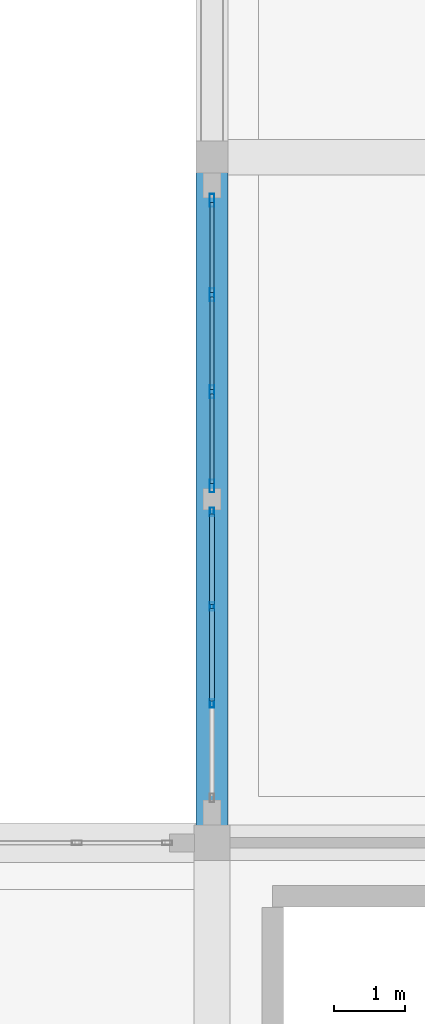
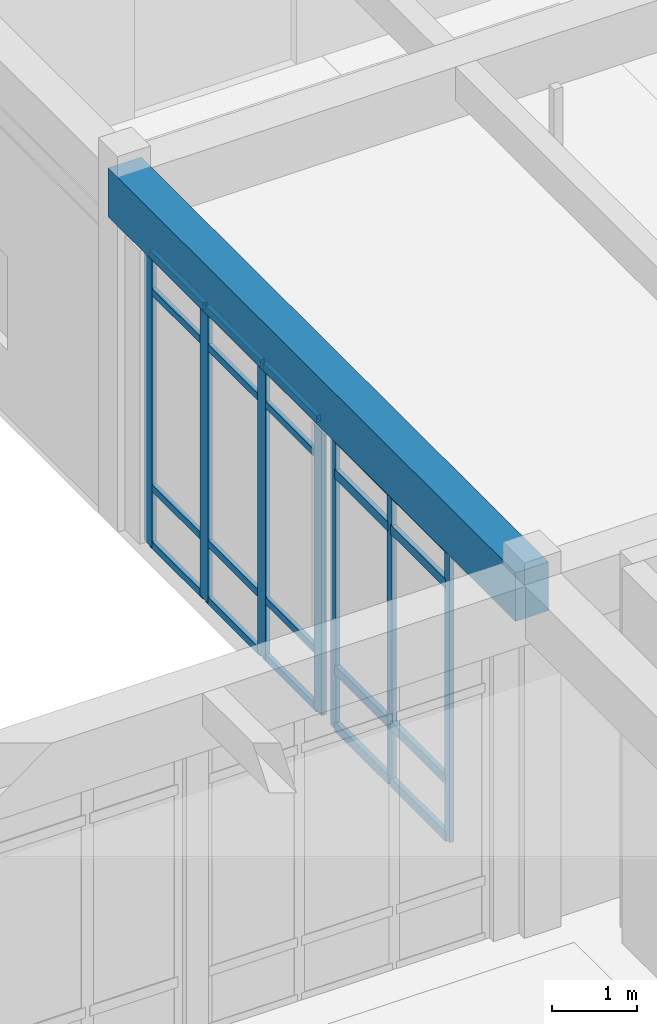
# One storey, part 13 of 138: 27 members, 1 beam, 2 elements without a shape of their own.
"""IFC4 building model written with IfcOpenShell, lengths in metres."""

from ifc_helpers import new_model, si_unit, direction, frame, origin, origin_2d, place, context, subcontext, project, spatial, rectangle, hollow_rectangle, extrude, material, layer, layer_set, material_profile, profile_set, type_object, element, aggregate, save


model = new_model("IFC4")

# Units and contexts
model_context = context("Model", 3, precision=1e-05, world=origin(), true_north=direction((0.0, 1.0)))
body_context = subcontext(model_context, "Body", "Model", "MODEL_VIEW")
ifc_project = project(units=[si_unit("LENGTHUNIT", "METRE"), si_unit("AREAUNIT", "SQUARE_METRE"), si_unit("VOLUMEUNIT", "CUBIC_METRE"), si_unit("PLANEANGLEUNIT", "RADIAN"), si_unit("MASSUNIT", "GRAM", prefix="KILO")], contexts=[model_context])

# Site, building, storey
site_placement = place(None, origin())
site = spatial("IfcSite", under=ifc_project, at=site_placement, CompositionType="ELEMENT")
building_placement = place(site_placement, origin())
building = spatial("IfcBuilding", under=site, at=building_placement, Name="Fikremerkos Civic Library", CompositionType="ELEMENT")
storey_placement = place(building_placement, origin())
storey = spatial("IfcBuildingStorey", under=building, at=storey_placement, Name="L00", CompositionType="ELEMENT", Elevation=0.0)

# Curtain wall, members
ifc_material_1 = material(Name="Anodized aluminium Frame", Category="aluminium")
ifc_layer_1 = layer(ifc_material_1, 0.159912109375, Name="Anodized aluminium Frame")
ifc_layer_set_1 = layer_set([ifc_layer_1], Name="Anodized aluminium Frame")
curtain_wall_type_1 = type_object("IfcCurtainWallType", Name="Unitised curtain wall CW-13 3700x3200", PredefinedType="USERDEFINED", material=ifc_layer_set_1)
curtain_wall_1_placement = place(storey_placement, origin())
curtain_wall_1 = element("IfcCurtainWall", 1, at=curtain_wall_1_placement, inside=storey, type_object=curtain_wall_type_1, Name="Unitised curtain wall CW-13 L00 #13", ObjectType="UNITISED CURTAIN WALL", PredefinedType="USERDEFINED")
ifc_material_profile_1 = material_profile(ifc_material_1, hollow_rectangle(XDim=0.06494140625, YDim=0.179931640625, WallThickness=0.00439453125, at=origin_2d()), Name="ALU 180x65x4.5")
ifc_profile_set_1 = profile_set([ifc_material_profile_1], Name="Anodized aluminium Frame")
member_type_1 = type_object("IfcMemberType", Name="Curtain mullion CWM-01 ALU 180x65x4.5", PredefinedType="MULLION", material=ifc_profile_set_1)
member_1_placement = place(storey_placement, frame((46.199951171875, 36.195068359375, 0.0), z_axis=(0.0, 0.0, 1.0), x_axis=(-1.0, 0.0, 0.0)))
member_1 = element("IfcMember", 2, at=member_1_placement, type_object=member_type_1, Name="CW-13 mullion 1", PredefinedType="MULLION", context=body_context, shape_type="SweptSolid", body=[
    extrude(hollow_rectangle(XDim=0.06494140625, YDim=0.179931640625, WallThickness=0.00439453125, at=origin_2d()), origin(), (0.0, 0.0, 1.0), 4.219970703125),
])
member_2_placement = place(storey_placement, frame((46.199951171875, 37.517333984375, 0.0), z_axis=(0.0, 0.0, 1.0), x_axis=(-1.0, 0.0, 0.0)))
member_2 = element("IfcMember", 3, at=member_2_placement, type_object=member_type_1, Name="CW-13 mullion 2", PredefinedType="MULLION", context=body_context, shape_type="SweptSolid", body=[
    extrude(hollow_rectangle(XDim=0.06494140625, YDim=0.179931640625, WallThickness=0.00439453125, at=origin_2d()), origin(), (0.0, 0.0, 1.0), 4.219970703125),
])
member_3_placement = place(storey_placement, frame((46.199951171875, 38.8720703125, 0.0), z_axis=(0.0, 0.0, 1.0), x_axis=(-1.0, 0.0, 0.0)))
member_3 = element("IfcMember", 4, at=member_3_placement, type_object=member_type_1, Name="CW-13 mullion 3", PredefinedType="MULLION", context=body_context, shape_type="SweptSolid", body=[
    extrude(hollow_rectangle(XDim=0.06494140625, YDim=0.179931640625, WallThickness=0.00439453125, at=origin_2d()), origin(), (0.0, 0.0, 1.0), 4.219970703125),
])
member_4_placement = place(storey_placement, frame((46.199951171875, 40.194580078125, 0.0), z_axis=(0.0, 0.0, 1.0), x_axis=(-1.0, 0.0, 0.0)))
member_4 = element("IfcMember", 5, at=member_4_placement, type_object=member_type_1, Name="CW-13 mullion 4", PredefinedType="MULLION", context=body_context, shape_type="SweptSolid", body=[
    extrude(hollow_rectangle(XDim=0.06494140625, YDim=0.179931640625, WallThickness=0.00439453125, at=origin_2d()), origin(), (0.0, 0.0, 1.0), 4.219970703125),
])

ifc_layer_2 = layer(ifc_material_1, 0.159912109375, Name="Anodized aluminium Frame")
ifc_layer_set_2 = layer_set([ifc_layer_2], Name="Anodized aluminium Frame")
curtain_wall_type_2 = type_object("IfcCurtainWallType", Name="Unitised curtain wall CW-12 4300x3400", PredefinedType="USERDEFINED", material=ifc_layer_set_2)
curtain_wall_2_placement = place(storey_placement, origin())
curtain_wall_2 = element("IfcCurtainWall", 6, at=curtain_wall_2_placement, inside=storey, type_object=curtain_wall_type_2, Name="Unitised curtain wall CW-12 L00 #12", ObjectType="UNITISED CURTAIN WALL", PredefinedType="USERDEFINED")
ifc_material_profile_2 = material_profile(ifc_material_1, hollow_rectangle(XDim=0.06005859375, YDim=0.1201171875, WallThickness=0.00390625, at=origin_2d()), Name="ALU 120x60x4")
ifc_profile_set_2 = profile_set([ifc_material_profile_2], Name="Anodized aluminium Frame")
member_type_2 = type_object("IfcMemberType", Name="Curtain mullion CWM-04 ALU 120x60x4", PredefinedType="MULLION", material=ifc_profile_set_2)
member_5_placement = place(storey_placement, frame((46.199951171875, 33.15283203125, 0.0), z_axis=(0.0, 0.0, 1.0), x_axis=(-1.0, 0.0, 0.0)))
member_5 = element("IfcMember", 7, at=member_5_placement, type_object=member_type_2, Name="CW-12 mullion 2", PredefinedType="MULLION", context=body_context, shape_type="SweptSolid", body=[
    extrude(hollow_rectangle(XDim=0.06005859375, YDim=0.1201171875, WallThickness=0.00390625, at=origin_2d()), origin(), (0.0, 0.0, 1.0), 4.219970703125),
])
member_6_placement = place(storey_placement, frame((46.199951171875, 34.507568359375, 0.0), z_axis=(0.0, 0.0, 1.0), x_axis=(-1.0, 0.0, 0.0)))
member_6 = element("IfcMember", 8, at=member_6_placement, type_object=member_type_2, Name="CW-12 mullion 3", PredefinedType="MULLION", context=body_context, shape_type="SweptSolid", body=[
    extrude(hollow_rectangle(XDim=0.06005859375, YDim=0.1201171875, WallThickness=0.00390625, at=origin_2d()), origin(), (0.0, 0.0, 1.0), 4.219970703125),
])
member_7_placement = place(storey_placement, frame((46.199951171875, 35.83251953125, 0.0), z_axis=(0.0, 0.0, 1.0), x_axis=(-1.0, 0.0, 0.0)))
member_7 = element("IfcMember", 9, at=member_7_placement, type_object=member_type_2, Name="CW-12 mullion 4", PredefinedType="MULLION", context=body_context, shape_type="SweptSolid", body=[
    extrude(hollow_rectangle(XDim=0.06005859375, YDim=0.1201171875, WallThickness=0.00390625, at=origin_2d()), origin(), (0.0, 0.0, 1.0), 4.219970703125),
])
ifc_material_profile_3 = material_profile(ifc_material_1, hollow_rectangle(XDim=0.06494140625, YDim=0.135009765625, WallThickness=0.00439453125, at=origin_2d()), Name="ALU 135x65x4.5")
ifc_profile_set_3 = profile_set([ifc_material_profile_3], Name="Anodized aluminium Frame")
member_type_3 = type_object("IfcMemberType", Name="Curtain transom CWT-02 ALU 135x65x4.5", PredefinedType="USERDEFINED", material=ifc_profile_set_3)
member_8_placement = place(storey_placement, frame((46.199951171875, 33.182861328125, 0.032470703125), z_axis=(0.0, 1.0, 0.0), x_axis=(-1.0, 0.0, 0.0)))
member_8 = element("IfcMember", 10, at=member_8_placement, type_object=member_type_3, Name="CW-12 transom 2.1", ObjectType="TRANSOM", PredefinedType="USERDEFINED", context=body_context, shape_type="SweptSolid", body=[
    extrude(hollow_rectangle(XDim=0.06494140625, YDim=0.135009765625, WallThickness=0.00439453125, at=origin_2d()), origin(), (0.0, 0.0, 1.0), 1.294921875),
])
member_9_placement = place(storey_placement, frame((46.199951171875, 33.182861328125, 0.85009765625), z_axis=(0.0, 1.0, 0.0), x_axis=(-1.0, 0.0, 0.0)))
member_9 = element("IfcMember", 11, at=member_9_placement, type_object=member_type_3, Name="CW-12 transom 2.2", ObjectType="TRANSOM", PredefinedType="USERDEFINED", context=body_context, shape_type="SweptSolid", body=[
    extrude(hollow_rectangle(XDim=0.06494140625, YDim=0.135009765625, WallThickness=0.00439453125, at=origin_2d()), origin(), (0.0, 0.0, 1.0), 1.294921875),
])
member_10_placement = place(storey_placement, frame((46.199951171875, 33.182861328125, 3.669921875), z_axis=(0.0, 1.0, 0.0), x_axis=(-1.0, 0.0, 0.0)))
member_10 = element("IfcMember", 12, at=member_10_placement, type_object=member_type_3, Name="CW-12 transom 2.3", ObjectType="TRANSOM", PredefinedType="USERDEFINED", context=body_context, shape_type="SweptSolid", body=[
    extrude(hollow_rectangle(XDim=0.06494140625, YDim=0.135009765625, WallThickness=0.00439453125, at=origin_2d()), origin(), (0.0, 0.0, 1.0), 1.294921875),
])
member_11_placement = place(storey_placement, frame((46.199951171875, 33.182861328125, 4.1875), z_axis=(0.0, 1.0, 0.0), x_axis=(-1.0, 0.0, 0.0)))
member_11 = element("IfcMember", 13, at=member_11_placement, type_object=member_type_3, Name="CW-12 transom 2.4", ObjectType="TRANSOM", PredefinedType="USERDEFINED", context=body_context, shape_type="SweptSolid", body=[
    extrude(hollow_rectangle(XDim=0.06494140625, YDim=0.135009765625, WallThickness=0.00439453125, at=origin_2d()), origin(), (0.0, 0.0, 1.0), 1.294921875),
])
member_12_placement = place(storey_placement, frame((46.199951171875, 34.53759765625, 0.032470703125), z_axis=(0.0, 1.0, 0.0), x_axis=(-1.0, 0.0, 0.0)))
member_12 = element("IfcMember", 14, at=member_12_placement, type_object=member_type_3, Name="CW-12 transom 3.1", ObjectType="TRANSOM", PredefinedType="USERDEFINED", context=body_context, shape_type="SweptSolid", body=[
    extrude(hollow_rectangle(XDim=0.06494140625, YDim=0.135009765625, WallThickness=0.00439453125, at=origin_2d()), origin(), (0.0, 0.0, 1.0), 1.264892578125),
])
member_13_placement = place(storey_placement, frame((46.199951171875, 34.53759765625, 0.85009765625), z_axis=(0.0, 1.0, 0.0), x_axis=(-1.0, 0.0, 0.0)))
member_13 = element("IfcMember", 15, at=member_13_placement, type_object=member_type_3, Name="CW-12 transom 3.2", ObjectType="TRANSOM", PredefinedType="USERDEFINED", context=body_context, shape_type="SweptSolid", body=[
    extrude(hollow_rectangle(XDim=0.06494140625, YDim=0.135009765625, WallThickness=0.00439453125, at=origin_2d()), origin(), (0.0, 0.0, 1.0), 1.264892578125),
])
member_14_placement = place(storey_placement, frame((46.199951171875, 34.53759765625, 3.669921875), z_axis=(0.0, 1.0, 0.0), x_axis=(-1.0, 0.0, 0.0)))
member_14 = element("IfcMember", 16, at=member_14_placement, type_object=member_type_3, Name="CW-12 transom 3.3", ObjectType="TRANSOM", PredefinedType="USERDEFINED", context=body_context, shape_type="SweptSolid", body=[
    extrude(hollow_rectangle(XDim=0.06494140625, YDim=0.135009765625, WallThickness=0.00439453125, at=origin_2d()), origin(), (0.0, 0.0, 1.0), 1.264892578125),
])
member_15_placement = place(storey_placement, frame((46.199951171875, 34.53759765625, 4.1875), z_axis=(0.0, 1.0, 0.0), x_axis=(-1.0, 0.0, 0.0)))
member_15 = element("IfcMember", 17, at=member_15_placement, type_object=member_type_3, Name="CW-12 transom 3.4", ObjectType="TRANSOM", PredefinedType="USERDEFINED", context=body_context, shape_type="SweptSolid", body=[
    extrude(hollow_rectangle(XDim=0.06494140625, YDim=0.135009765625, WallThickness=0.00439453125, at=origin_2d()), origin(), (0.0, 0.0, 1.0), 1.264892578125),
])
aggregate(curtain_wall_2, [member_5, member_6, member_7, member_8, member_9, member_10, member_11, member_12, member_13, member_14, member_15])

# Member
ifc_material_profile_4 = material_profile(ifc_material_1, hollow_rectangle(XDim=0.06005859375, YDim=0.10009765625, WallThickness=0.00390625, at=origin_2d()), Name="ALU 100x60x4")
ifc_profile_set_4 = profile_set([ifc_material_profile_4], Name="Anodized aluminium Frame")
member_type_4 = type_object("IfcMemberType", Name="Curtain transom CWT-03 ALU 100x60x4", PredefinedType="USERDEFINED", material=ifc_profile_set_4)
member_16_placement = place(storey_placement, frame((46.199951171875, 36.2275390625, 0.030029296875), z_axis=(0.0, 1.0, 0.0), x_axis=(-1.0, 0.0, 0.0)))
member_16 = element("IfcMember", 18, at=member_16_placement, type_object=member_type_4, Name="CW-13 transom 1.1", ObjectType="TRANSOM", PredefinedType="USERDEFINED", context=body_context, shape_type="SweptSolid", body=[
    extrude(hollow_rectangle(XDim=0.06005859375, YDim=0.10009765625, WallThickness=0.00390625, at=origin_2d()), origin(), (0.0, 0.0, 1.0), 1.25732421875),
])

member_17_placement = place(storey_placement, frame((46.199951171875, 36.2275390625, 0.85009765625), z_axis=(0.0, 1.0, 0.0), x_axis=(-1.0, 0.0, 0.0)))
member_17 = element("IfcMember", 19, at=member_17_placement, type_object=member_type_4, Name="CW-13 transom 1.2", ObjectType="TRANSOM", PredefinedType="USERDEFINED", context=body_context, shape_type="SweptSolid", body=[
    extrude(hollow_rectangle(XDim=0.06005859375, YDim=0.10009765625, WallThickness=0.00390625, at=origin_2d()), origin(), (0.0, 0.0, 1.0), 1.25732421875),
])

member_18_placement = place(storey_placement, frame((46.199951171875, 36.2275390625, 3.669921875), z_axis=(0.0, 1.0, 0.0), x_axis=(-1.0, 0.0, 0.0)))
member_18 = element("IfcMember", 20, at=member_18_placement, type_object=member_type_4, Name="CW-13 transom 1.3", ObjectType="TRANSOM", PredefinedType="USERDEFINED", context=body_context, shape_type="SweptSolid", body=[
    extrude(hollow_rectangle(XDim=0.06005859375, YDim=0.10009765625, WallThickness=0.00390625, at=origin_2d()), origin(), (0.0, 0.0, 1.0), 1.25732421875),
])

member_19_placement = place(storey_placement, frame((46.199951171875, 36.2275390625, 4.18994140625), z_axis=(0.0, 1.0, 0.0), x_axis=(-1.0, 0.0, 0.0)))
member_19 = element("IfcMember", 21, at=member_19_placement, type_object=member_type_4, Name="CW-13 transom 1.4", ObjectType="TRANSOM", PredefinedType="USERDEFINED", context=body_context, shape_type="SweptSolid", body=[
    extrude(hollow_rectangle(XDim=0.06005859375, YDim=0.10009765625, WallThickness=0.00390625, at=origin_2d()), origin(), (0.0, 0.0, 1.0), 1.25732421875),
])

member_20_placement = place(storey_placement, frame((46.199951171875, 37.5498046875, 0.030029296875), z_axis=(0.0, 1.0, 0.0), x_axis=(-1.0, 0.0, 0.0)))
member_20 = element("IfcMember", 22, at=member_20_placement, type_object=member_type_4, Name="CW-13 transom 2.1", ObjectType="TRANSOM", PredefinedType="USERDEFINED", context=body_context, shape_type="SweptSolid", body=[
    extrude(hollow_rectangle(XDim=0.06005859375, YDim=0.10009765625, WallThickness=0.00390625, at=origin_2d()), origin(), (0.0, 0.0, 1.0), 1.289794921875),
])

member_21_placement = place(storey_placement, frame((46.199951171875, 37.5498046875, 0.85009765625), z_axis=(0.0, 1.0, 0.0), x_axis=(-1.0, 0.0, 0.0)))
member_21 = element("IfcMember", 23, at=member_21_placement, type_object=member_type_4, Name="CW-13 transom 2.2", ObjectType="TRANSOM", PredefinedType="USERDEFINED", context=body_context, shape_type="SweptSolid", body=[
    extrude(hollow_rectangle(XDim=0.06005859375, YDim=0.10009765625, WallThickness=0.00390625, at=origin_2d()), origin(), (0.0, 0.0, 1.0), 1.289794921875),
])

member_22_placement = place(storey_placement, frame((46.199951171875, 37.5498046875, 3.669921875), z_axis=(0.0, 1.0, 0.0), x_axis=(-1.0, 0.0, 0.0)))
member_22 = element("IfcMember", 24, at=member_22_placement, type_object=member_type_4, Name="CW-13 transom 2.3", ObjectType="TRANSOM", PredefinedType="USERDEFINED", context=body_context, shape_type="SweptSolid", body=[
    extrude(hollow_rectangle(XDim=0.06005859375, YDim=0.10009765625, WallThickness=0.00390625, at=origin_2d()), origin(), (0.0, 0.0, 1.0), 1.289794921875),
])

member_23_placement = place(storey_placement, frame((46.199951171875, 37.5498046875, 4.18994140625), z_axis=(0.0, 1.0, 0.0), x_axis=(-1.0, 0.0, 0.0)))
member_23 = element("IfcMember", 25, at=member_23_placement, type_object=member_type_4, Name="CW-13 transom 2.4", ObjectType="TRANSOM", PredefinedType="USERDEFINED", context=body_context, shape_type="SweptSolid", body=[
    extrude(hollow_rectangle(XDim=0.06005859375, YDim=0.10009765625, WallThickness=0.00390625, at=origin_2d()), origin(), (0.0, 0.0, 1.0), 1.289794921875),
])

member_24_placement = place(storey_placement, frame((46.199951171875, 38.90478515625, 0.030029296875), z_axis=(0.0, 1.0, 0.0), x_axis=(-1.0, 0.0, 0.0)))
member_24 = element("IfcMember", 26, at=member_24_placement, type_object=member_type_4, Name="CW-13 transom 3.1", ObjectType="TRANSOM", PredefinedType="USERDEFINED", context=body_context, shape_type="SweptSolid", body=[
    extrude(hollow_rectangle(XDim=0.06005859375, YDim=0.10009765625, WallThickness=0.00390625, at=origin_2d()), origin(), (0.0, 0.0, 1.0), 1.25732421875),
])

member_25_placement = place(storey_placement, frame((46.199951171875, 38.90478515625, 0.85009765625), z_axis=(0.0, 1.0, 0.0), x_axis=(-1.0, 0.0, 0.0)))
member_25 = element("IfcMember", 27, at=member_25_placement, type_object=member_type_4, Name="CW-13 transom 3.2", ObjectType="TRANSOM", PredefinedType="USERDEFINED", context=body_context, shape_type="SweptSolid", body=[
    extrude(hollow_rectangle(XDim=0.06005859375, YDim=0.10009765625, WallThickness=0.00390625, at=origin_2d()), origin(), (0.0, 0.0, 1.0), 1.25732421875),
])

member_26_placement = place(storey_placement, frame((46.199951171875, 38.90478515625, 3.669921875), z_axis=(0.0, 1.0, 0.0), x_axis=(-1.0, 0.0, 0.0)))
member_26 = element("IfcMember", 28, at=member_26_placement, type_object=member_type_4, Name="CW-13 transom 3.3", ObjectType="TRANSOM", PredefinedType="USERDEFINED", context=body_context, shape_type="SweptSolid", body=[
    extrude(hollow_rectangle(XDim=0.06005859375, YDim=0.10009765625, WallThickness=0.00390625, at=origin_2d()), origin(), (0.0, 0.0, 1.0), 1.25732421875),
])

member_27_placement = place(storey_placement, frame((46.199951171875, 38.90478515625, 4.18994140625), z_axis=(0.0, 1.0, 0.0), x_axis=(-1.0, 0.0, 0.0)))
member_27 = element("IfcMember", 29, at=member_27_placement, type_object=member_type_4, Name="CW-13 transom 3.4", ObjectType="TRANSOM", PredefinedType="USERDEFINED", context=body_context, shape_type="SweptSolid", body=[
    extrude(hollow_rectangle(XDim=0.06005859375, YDim=0.10009765625, WallThickness=0.00390625, at=origin_2d()), origin(), (0.0, 0.0, 1.0), 1.25732421875),
])

aggregate(curtain_wall_1, [member_1, member_2, member_3, member_4, member_16, member_17, member_18, member_19, member_20, member_21, member_22, member_23, member_24, member_25, member_26, member_27])

# Beam
ifc_material_2 = material(Name="Concrete C40/50", Category="concrete")
ifc_material_profile_5 = material_profile(ifc_material_2, rectangle(XDim=0.449951171875, YDim=0.699951171875, at=origin_2d()), Name="RC 450x700")
ifc_profile_set_5 = profile_set([ifc_material_profile_5], Name="Concrete C40/50")
beam_type = type_object("IfcBeamType", Name="Primary girder BM-06 RC 450x700", PredefinedType="BEAM", material=ifc_profile_set_5)
beam_placement = place(storey_placement, frame((46.199951171875, 31.199951171875, 4.75), z_axis=(0.0, 1.0, 0.0), x_axis=(-1.0, 0.0, 0.0)))
element("IfcBeam", 30, at=beam_placement, inside=storey, type_object=beam_type, Name="Primary girder BM-06 L00 grid 5", PredefinedType="BEAM", context=body_context, shape_type="SweptSolid", body=[
    extrude(rectangle(XDim=0.449951171875, YDim=0.699951171875, at=origin_2d()), origin(), (0.0, 0.0, 1.0), 9.60009765625),
])

save(model, "model.ifc")
